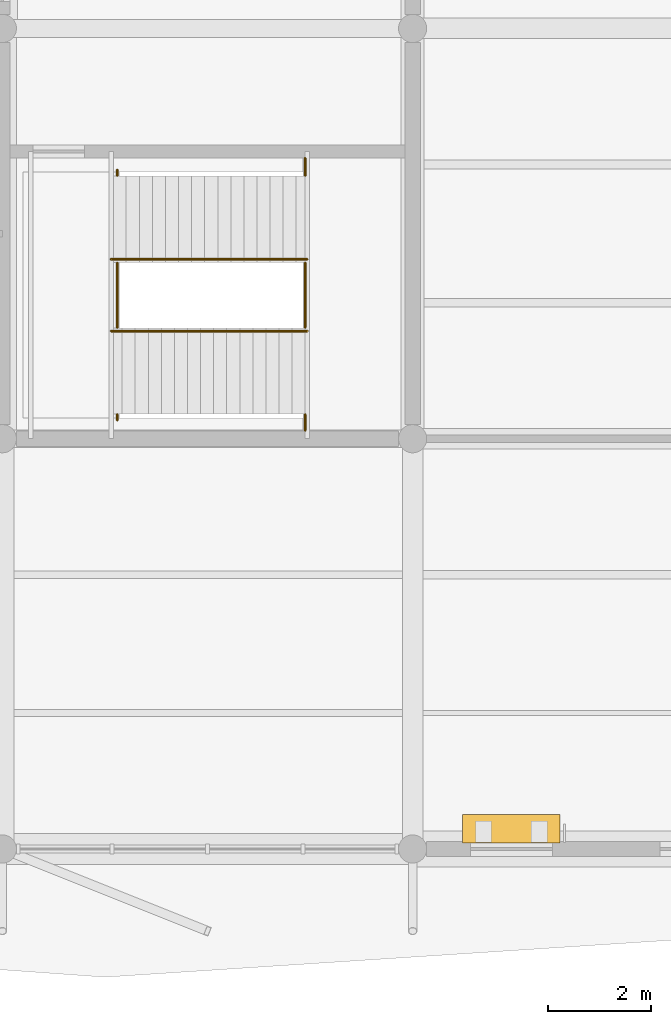
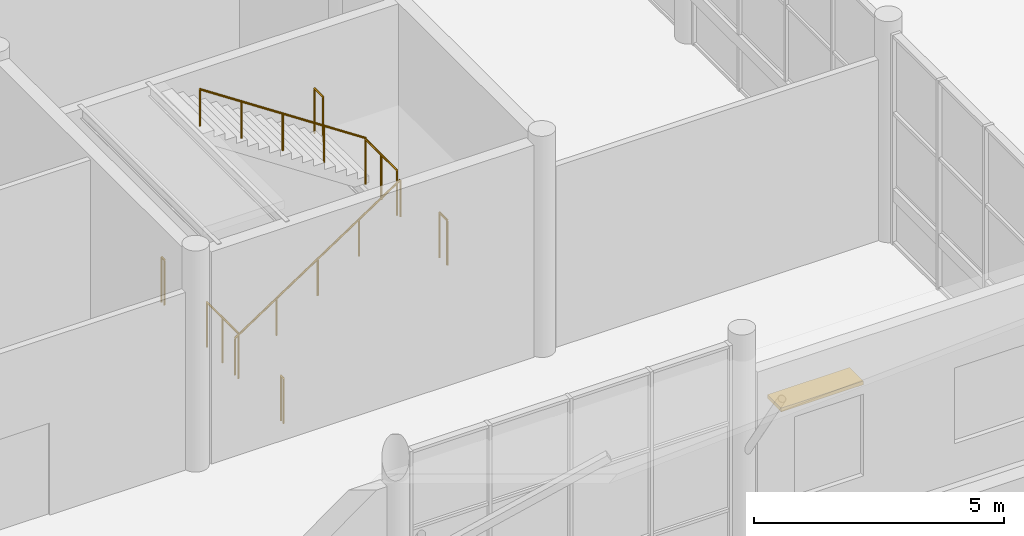
# One storey, part 121 of 122: 8 railings, 1 shading device, 1 element without a shape of its own.
"""IFC4 building model written with IfcOpenShell, lengths in metres."""

from ifc_helpers import new_model, si_unit, direction, frame, origin, origin_2d, place, context, subcontext, project, spatial, rectangle, circle, extrude, material, layer, layer_set, type_object, element, aggregate, save


model = new_model("IFC4")

# Units and contexts
model_context = context("Model", 3, precision=1e-05, world=origin(), true_north=direction((0.0, 1.0)))
body_context = subcontext(model_context, "Body", "Model", "MODEL_VIEW")
ifc_project = project(units=[si_unit("LENGTHUNIT", "METRE"), si_unit("AREAUNIT", "SQUARE_METRE"), si_unit("VOLUMEUNIT", "CUBIC_METRE"), si_unit("PLANEANGLEUNIT", "RADIAN"), si_unit("MASSUNIT", "GRAM", prefix="KILO")], contexts=[model_context])

# Site, building, storey
site_placement = place(None, origin())
site = spatial("IfcSite", under=ifc_project, at=site_placement, CompositionType="ELEMENT")
building_placement = place(site_placement, origin())
building = spatial("IfcBuilding", under=site, at=building_placement, Name="Tenunan Teduh Sports Hall", CompositionType="ELEMENT")
storey_placement = place(building_placement, frame((0.0, 0.0, 5.39990234375)))
storey = spatial("IfcBuildingStorey", under=building, at=storey_placement, Name="L01", CompositionType="ELEMENT", Elevation=5.39990234375)

# Railings
ifc_material_1 = material(Name="Galvanised and powder-coated steel", Category="steel")
ifc_layer_1 = layer(ifc_material_1, 0.070068359375)
ifc_layer_set_1 = layer_set([ifc_layer_1], Name="Galvanised and powder-coated steel")
railing_type_1 = type_object("IfcRailingType", Name="RLG-EXT-GRD", PredefinedType="GUARDRAIL", material=ifc_layer_set_1)
railing_1_placement = place(storey_placement, frame((148.239990234375, 96.169921875, 0.0)))
element("IfcRailing", 1, at=railing_1_placement, inside=storey, type_object=railing_type_1, Name="RLG-STW-WLND-E2-L00", PredefinedType="GUARDRAIL", context=body_context, shape_type="SweptSolid", body=[
    extrude(circle(Radius=0.02392578125, at=origin_2d()), frame((0.0, 0.0, 1.09619140625), z_axis=(0.0, 1.0, 0.0), x_axis=(-1.0, 0.0, 0.0)), (0.0, 0.0, 1.0), 1.260009765625),
    extrude(circle(Radius=0.02099609375, at=origin_2d()), origin(), (0.0, 0.0, 1.0), 1.072021484375),
    extrude(circle(Radius=0.02099609375, at=origin_2d()), frame((0.0, 0.6298828125, 0.0)), (0.0, 0.0, 1.0), 1.072021484375),
    extrude(circle(Radius=0.02099609375, at=origin_2d()), frame((0.0, 1.260009765625, 0.0)), (0.0, 0.0, 1.0), 1.072021484375),
])
railing_2_placement = place(storey_placement, frame((148.239990234375, 94.360107421875, 0.0)))
element("IfcRailing", 2, at=railing_2_placement, inside=storey, type_object=railing_type_1, Name="RLG-STW-WLNDS-E2-L00", PredefinedType="GUARDRAIL", context=body_context, shape_type="SweptSolid", body=[
    extrude(circle(Radius=0.02392578125, at=origin_2d()), frame((0.0, 0.0, 1.09619140625), z_axis=(0.0, 1.0, 0.0), x_axis=(-1.0, 0.0, 0.0)), (0.0, 0.0, 1.0), 0.10986328125),
    extrude(circle(Radius=0.02099609375, at=origin_2d()), origin(), (0.0, 0.0, 1.0), 1.072021484375),
    extrude(circle(Radius=0.02099609375, at=origin_2d()), frame((0.0, 0.10986328125, 0.0)), (0.0, 0.0, 1.0), 1.072021484375),
])
railing_3_placement = place(storey_placement, frame((148.239990234375, 99.1298828125, 0.0)))
element("IfcRailing", 3, at=railing_3_placement, inside=storey, type_object=railing_type_1, Name="RLG-STW-WLNDN-E2-L00", PredefinedType="GUARDRAIL", context=body_context, shape_type="SweptSolid", body=[
    extrude(circle(Radius=0.02392578125, at=origin_2d()), frame((0.0, 0.0, 1.09619140625), z_axis=(0.0, 1.0, 0.0), x_axis=(-1.0, 0.0, 0.0)), (0.0, 0.0, 1.0), 0.110107421875),
    extrude(circle(Radius=0.02099609375, at=origin_2d()), origin(), (0.0, 0.0, 1.0), 1.072021484375),
    extrude(circle(Radius=0.02099609375, at=origin_2d()), frame((0.0, 0.110107421875, 0.0)), (0.0, 0.0, 1.0), 1.072021484375),
])
railing_4_placement = place(storey_placement, frame((151.905029296875, 96.169921875, 2.7001953125)))
element("IfcRailing", 4, at=railing_4_placement, inside=storey, type_object=railing_type_1, Name="RLG-STW-MID-E2-L01", PredefinedType="GUARDRAIL", context=body_context, shape_type="SweptSolid", body=[
    extrude(circle(Radius=0.02392578125, at=origin_2d()), frame((0.0, 0.0, 1.09619140625), z_axis=(0.0, 1.0, 0.0), x_axis=(-1.0, 0.0, 0.0)), (0.0, 0.0, 1.0), 1.260009765625),
    extrude(circle(Radius=0.02099609375, at=origin_2d()), origin(), (0.0, 0.0, 1.0), 1.072021484375),
    extrude(circle(Radius=0.02099609375, at=origin_2d()), frame((0.0, 0.6298828125, 0.0)), (0.0, 0.0, 1.0), 1.072021484375),
    extrude(circle(Radius=0.02099609375, at=origin_2d()), frame((0.0, 1.260009765625, 0.0)), (0.0, 0.0, 1.0), 1.072021484375),
])
railing_5_placement = place(storey_placement, frame((151.905029296875, 94.159912109375, 2.7001953125)))
element("IfcRailing", 5, at=railing_5_placement, inside=storey, type_object=railing_type_1, Name="RLG-STW-MIDS-E2-L01", PredefinedType="GUARDRAIL", context=body_context, shape_type="SweptSolid", body=[
    extrude(circle(Radius=0.02392578125, at=origin_2d()), frame((0.0, 0.0, 1.09619140625), z_axis=(0.0, 1.0, 0.0), x_axis=(-1.0, 0.0, 0.0)), (0.0, 0.0, 1.0), 0.31005859375),
    extrude(circle(Radius=0.02099609375, at=origin_2d()), origin(), (0.0, 0.0, 1.0), 1.072021484375),
    extrude(circle(Radius=0.02099609375, at=origin_2d()), frame((0.0, 0.31005859375, 0.0)), (0.0, 0.0, 1.0), 1.072021484375),
])
railing_6_placement = place(storey_placement, frame((151.905029296875, 99.1298828125, 2.7001953125)))
element("IfcRailing", 6, at=railing_6_placement, inside=storey, type_object=railing_type_1, Name="RLG-STW-MIDN-E2-L01", PredefinedType="GUARDRAIL", context=body_context, shape_type="SweptSolid", body=[
    extrude(circle(Radius=0.02392578125, at=origin_2d()), frame((0.0, 0.0, 1.09619140625), z_axis=(0.0, 1.0, 0.0), x_axis=(-1.0, 0.0, 0.0)), (0.0, 0.0, 1.0), 0.340087890625),
    extrude(circle(Radius=0.02099609375, at=origin_2d()), origin(), (0.0, 0.0, 1.0), 1.072021484375),
    extrude(circle(Radius=0.02099609375, at=origin_2d()), frame((0.0, 0.340087890625, 0.0)), (0.0, 0.0, 1.0), 1.072021484375),
])

# Stair, railings
ifc_material_2 = material(Name="Precast concrete C40/50", Category="concrete")
stair_type = type_object("IfcStairType", Name="STR-CORE-42", PredefinedType="HALF_TURN_STAIR", material=ifc_material_2)
stair_placement = place(storey_placement, origin())
stair = element("IfcStair", 7, at=stair_placement, inside=storey, type_object=stair_type, Name="STR-E2-L01", PredefinedType="HALF_TURN_STAIR")
ifc_material_3 = material(Name="Brushed stainless steel", Category="steel")
ifc_layer_2 = layer(ifc_material_3, 0.050048828125)
ifc_layer_set_2 = layer_set([ifc_layer_2], Name="Brushed stainless steel")
railing_type_2 = type_object("IfcRailingType", Name="RLG-STAIR-HR", PredefinedType="HANDRAIL", material=ifc_layer_set_2)
railing_7_placement = place(storey_placement, frame((148.1201171875, 96.10009765625, 0.1689453125)))
railing_7 = element("IfcRailing", 8, at=railing_7_placement, type_object=railing_type_2, Name="STR-E2-L01-HR1", PredefinedType="HANDRAIL", context=body_context, shape_type="SweptSolid", body=[
    extrude(circle(Radius=0.02392578125, at=origin_2d()), frame((0.0, 0.0, 0.89599609375), z_axis=(0.833928963496, 0.0, 0.551871800187), x_axis=(0.0, 1.0, 0.0)), (0.0, 0.0, 1.0), 4.586669921875),
    extrude(circle(Radius=0.02099609375, at=origin_2d()), origin(), (0.0, 0.0, 1.0), 0.871826171875),
    extrude(circle(Radius=0.02099609375, at=origin_2d()), frame((0.956298828125, 0.0, 0.6328125)), (0.0, 0.0, 1.0), 0.871826171875),
    extrude(circle(Radius=0.02099609375, at=origin_2d()), frame((1.91259765625, 0.0, 1.265625)), (0.0, 0.0, 1.0), 0.871826171875),
    extrude(circle(Radius=0.02099609375, at=origin_2d()), frame((2.86865234375, 0.0, 1.8984375)), (0.0, 0.0, 1.0), 0.871826171875),
    extrude(circle(Radius=0.02099609375, at=origin_2d()), frame((3.824951171875, 0.0, 2.53125)), (0.0, 0.0, 1.0), 0.871826171875),
])
railing_8_placement = place(storey_placement, frame((151.945068359375, 97.5, 2.868896484375)))
railing_8 = element("IfcRailing", 9, at=railing_8_placement, type_object=railing_type_2, Name="STR-E2-L01-HR2", PredefinedType="HANDRAIL", context=body_context, shape_type="SweptSolid", body=[
    extrude(circle(Radius=0.02392578125, at=origin_2d()), frame((0.0, 0.0, 0.89599609375), z_axis=(-0.833928963496, 0.0, 0.551871800187), x_axis=(0.0, -1.0, 0.0)), (0.0, 0.0, 1.0), 4.586669921875),
    extrude(circle(Radius=0.02099609375, at=origin_2d()), origin(), (0.0, 0.0, 1.0), 0.871826171875),
    extrude(circle(Radius=0.02099609375, at=origin_2d()), frame((-0.956298828125, 0.0, 0.6328125)), (0.0, 0.0, 1.0), 0.871826171875),
    extrude(circle(Radius=0.02099609375, at=origin_2d()), frame((-1.91259765625, 0.0, 1.265625)), (0.0, 0.0, 1.0), 0.871826171875),
    extrude(circle(Radius=0.02099609375, at=origin_2d()), frame((-2.86865234375, 0.0, 1.8984375)), (0.0, 0.0, 1.0), 0.871826171875),
    extrude(circle(Radius=0.02099609375, at=origin_2d()), frame((-3.824951171875, 0.0, 2.53125)), (0.0, 0.0, 1.0), 0.871826171875),
])
aggregate(stair, [railing_7, railing_8])

# Shading device
ifc_material_4 = material(Name="Perforated anodised aluminium", Category="aluminium")
shading_device_type = type_object("IfcShadingDeviceType", Name="SHD-LOUVRE-2", PredefinedType="SHUTTER", material=ifc_material_4)
shading_device_placement = place(storey_placement, frame((155.925048828125, 86.39501953125, 2.9150390625), z_axis=(0.0, 0.0, 1.0), x_axis=(1.0, 0.0, 0.0)))
element("IfcShadingDevice", 10, at=shading_device_placement, inside=storey, type_object=shading_device_type, Name="SHD-L01-085", PredefinedType="SHUTTER", context=body_context, shape_type="SweptSolid", body=[
    extrude(rectangle(XDim=1.89990234375, YDim=0.550048828125, at=origin_2d()), origin(), (0.0, 0.0, 1.0), 0.090087890625),
])

save(model, "model.ifc")
